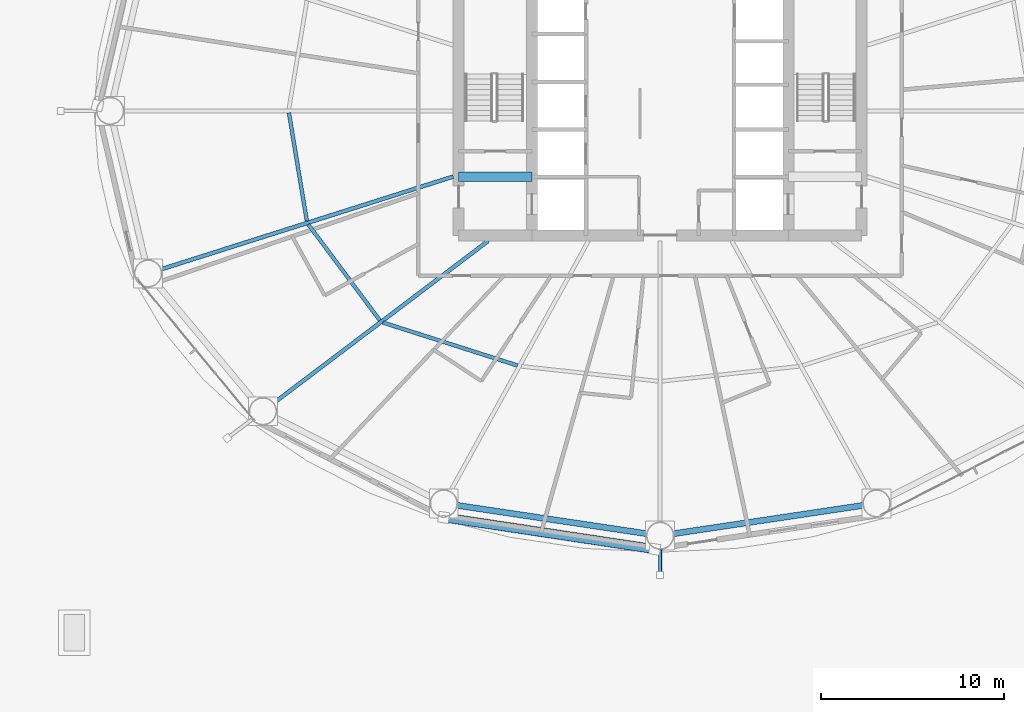
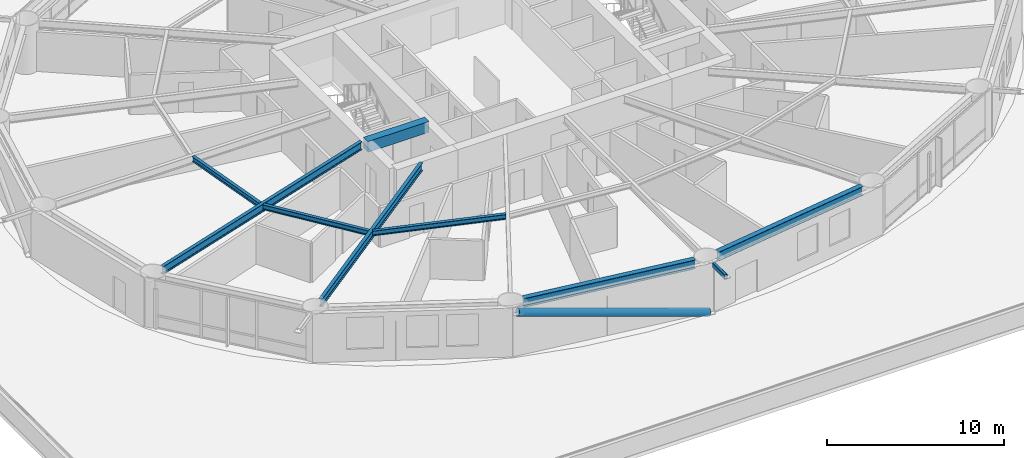
# One storey, part 5 of 30: 8 beams, 2 members.
"""IFC4 building model written with IfcOpenShell, lengths in metres."""

from ifc_helpers import new_model, si_unit, direction, frame, origin, origin_2d, place, context, subcontext, project, spatial, rectangle, hollow_rectangle, hollow_circle, i_section, extrude, material, material_profile, profile_set, type_object, element, save


model = new_model("IFC4")

# Units and contexts
model_context = context("Model", 3, precision=1e-05, world=origin(), true_north=direction((0.0, 1.0)))
body_context = subcontext(model_context, "Body", "Model", "MODEL_VIEW")
ifc_project = project(units=[si_unit("LENGTHUNIT", "METRE"), si_unit("AREAUNIT", "SQUARE_METRE"), si_unit("VOLUMEUNIT", "CUBIC_METRE"), si_unit("PLANEANGLEUNIT", "RADIAN"), si_unit("MASSUNIT", "GRAM", prefix="KILO")], contexts=[model_context])

# Site, building, storey
site_placement = place(None, origin())
site = spatial("IfcSite", under=ifc_project, at=site_placement, CompositionType="ELEMENT")
building_placement = place(site_placement, origin())
building = spatial("IfcBuilding", under=site, at=building_placement, Name="Sarneth Arch Tower", CompositionType="ELEMENT")
storey_placement = place(building_placement, frame((0.0, 0.0, 28.199951171875)))
storey = spatial("IfcBuildingStorey", under=building, at=storey_placement, Name="L05", CompositionType="ELEMENT", Elevation=28.199951171875)

# Beams
ifc_material_1 = material(Name="Steel S355", Category="steel")
ifc_material_profile_1 = material_profile(ifc_material_1, i_section(OverallWidth=0.202880859375, OverallDepth=0.346923828125, WebThickness=0.0078125, FlangeThickness=0.013427734375, FilletRadius=0.014892578125, at=origin_2d()), Name="W360x64")
ifc_profile_set_1 = profile_set([ifc_material_profile_1], Name="Steel S355")
beam_type_1 = type_object("IfcBeamType", Name="BM-JOIST-360C", PredefinedType="JOIST", material=ifc_profile_set_1)
beam_1_placement = place(storey_placement, frame((27.72509765625, 41.89453125, 3.20654296875), z_axis=(0.16394288124, -0.986469833138, 0.0), x_axis=(0.986469833138, 0.16394288124, 0.0)))
element("IfcBeam", 1, at=beam_1_placement, inside=storey, type_object=beam_type_1, Name="L05 Secondary floor joist 09", PredefinedType="JOIST", context=body_context, shape_type="SweptSolid", body=[
    extrude(i_section(OverallWidth=0.202880859375, OverallDepth=0.346923828125, WebThickness=0.0078125, FlangeThickness=0.013427734375, FilletRadius=0.014892578125, at=origin_2d()), origin(), (0.0, 0.0, 1.0), 5.989501953125),
])
beam_2_placement = place(storey_placement, frame((28.78857421875, 35.794921875, 3.20654296875), z_axis=(0.597700490469, -0.801719479428, 0.0), x_axis=(0.801719479428, 0.597700490469, 0.0)))
element("IfcBeam", 2, at=beam_2_placement, inside=storey, type_object=beam_type_1, Name="L05 Secondary floor joist 10", PredefinedType="JOIST", context=body_context, shape_type="SweptSolid", body=[
    extrude(i_section(OverallWidth=0.202880859375, OverallDepth=0.346923828125, WebThickness=0.0078125, FlangeThickness=0.013427734375, FilletRadius=0.014892578125, at=origin_2d()), origin(), (0.0, 0.0, 1.0), 6.5302734375),
])
beam_3_placement = place(storey_placement, frame((32.857666015625, 30.441162109375, 3.20654296875), z_axis=(0.95266836992, -0.304011475036, 0.0), x_axis=(0.304011475036, 0.95266836992, 0.0)))
element("IfcBeam", 3, at=beam_3_placement, inside=storey, type_object=beam_type_1, Name="L05 Secondary floor joist 11", PredefinedType="JOIST", context=body_context, shape_type="SweptSolid", body=[
    extrude(i_section(OverallWidth=0.202880859375, OverallDepth=0.346923828125, WebThickness=0.0078125, FlangeThickness=0.013427734375, FilletRadius=0.014892578125, at=origin_2d()), origin(), (0.0, 0.0, 1.0), 7.720703125),
])
ifc_material_2 = material(Name="Concrete C50/60", Category="concrete")
ifc_material_profile_2 = material_profile(ifc_material_2, rectangle(XDim=0.5, YDim=0.75, at=origin_2d()), Name="RC-500x750")
ifc_profile_set_2 = profile_set([ifc_material_profile_2], Name="Concrete C50/60")
beam_type_2 = type_object("IfcBeamType", Name="BM-LINTEL-RC", PredefinedType="LINTEL", material=ifc_profile_set_2)
beam_4_placement = place(storey_placement, frame((37.0, 38.39990234375, 3.005126953125), z_axis=(1.0, 0.0, 0.0), x_axis=(0.0, 1.0, 0.0)))
element("IfcBeam", 4, at=beam_4_placement, inside=storey, type_object=beam_type_2, Name="L05 Core coupling lintel W", PredefinedType="LINTEL", context=body_context, shape_type="SweptSolid", body=[
    extrude(rectangle(XDim=0.5, YDim=0.75, at=origin_2d()), origin(), (0.0, 0.0, 1.0), 4.0),
])
ifc_material_3 = material(Name="Steel S355", Category="steel")
ifc_material_profile_3 = material_profile(ifc_material_3, i_section(OverallWidth=0.214111328125, OverallDepth=0.549072265625, WebThickness=0.0146484375, FlangeThickness=0.023681640625, FilletRadius=0.01806640625, at=origin_2d()), Name="W530x138")
ifc_profile_set_3 = profile_set([ifc_material_profile_3], Name="Steel S355")
beam_type_3 = type_object("IfcBeamType", Name="BM-RAD-530A", PredefinedType="BEAM", material=ifc_profile_set_3)
beam_5_placement = place(storey_placement, frame((36.699951171875, 38.41259765625, 3.10546875), z_axis=(-0.953119859464, -0.30259301627, 0.0), x_axis=(0.30259301627, -0.953119859464, 0.0)))
element("IfcBeam", 5, at=beam_5_placement, inside=storey, type_object=beam_type_3, Name="L05 Radial floor girder 10", PredefinedType="BEAM", context=body_context, shape_type="SweptSolid", body=[
    extrude(i_section(OverallWidth=0.214111328125, OverallDepth=0.549072265625, WebThickness=0.0146484375, FlangeThickness=0.023681640625, FilletRadius=0.01806640625, at=origin_2d()), origin(), (0.0, 0.0, 1.0), 16.7353515625),
])
beam_6_placement = place(storey_placement, frame((38.609619140625, 34.89990234375, 3.10546875), z_axis=(-0.79765464731, -0.603114469753, 0.0), x_axis=(0.603114469753, -0.79765464731, 0.0)))
element("IfcBeam", 6, at=beam_6_placement, inside=storey, type_object=beam_type_3, Name="L05 Radial floor girder 11", PredefinedType="BEAM", context=body_context, shape_type="SweptSolid", body=[
    extrude(i_section(OverallWidth=0.214111328125, OverallDepth=0.549072265625, WebThickness=0.0146484375, FlangeThickness=0.023681640625, FilletRadius=0.01806640625, at=origin_2d()), origin(), (0.0, 0.0, 1.0), 14.677978515625),
])
ifc_material_4 = material(Name="Steel S355", Category="steel")
ifc_material_profile_4 = material_profile(ifc_material_4, i_section(OverallWidth=0.326904296875, OverallDepth=0.6220703125, WebThickness=0.015380859375, FlangeThickness=0.0244140625, FilletRadius=0.01904296875, at=origin_2d()), Name="W610x195")
ifc_profile_set_4 = profile_set([ifc_material_profile_4], Name="Steel S355")
beam_type_4 = type_object("IfcBeamType", Name="BM-SPAN-610A", PredefinedType="SPANDREL", material=ifc_profile_set_4)
for number, where, z_axis, x_axis, name in (
    (7, (36.923828125, 20.455078125, 3.069091796875), (0.989020169581, -0.147780594675, 0.0), (0.147780594675, 0.989020169581, 0.0), "L05 Perimeter spandrel beam 12"),
    (8, (48.74169921875, 18.910888671875, 3.069091796875), (0.989020169581, 0.147780594675, 0.0), (-0.147780594675, 0.989020169581, 0.0), "L05 Perimeter spandrel beam 13"),
):
    element("IfcBeam", number, at=place(storey_placement, frame(where, z_axis=z_axis, x_axis=x_axis)), inside=storey, type_object=beam_type_4, Name=name, PredefinedType="SPANDREL", context=body_context, shape_type="SweptSolid", body=[
        extrude(i_section(OverallWidth=0.326904296875, OverallDepth=0.6220703125, WebThickness=0.015380859375, FlangeThickness=0.0244140625, FilletRadius=0.01904296875, at=origin_2d()), origin(), (0.0, 0.0, 1.0), 10.44921875),
    ])

# Members
ifc_material_5 = material(Name="Steel S355", Category="steel")
ifc_material_profile_5 = material_profile(ifc_material_5, hollow_rectangle(XDim=0.199951171875, YDim=0.300048828125, WallThickness=0.012451171875, InnerFilletRadius=0.018798828125, OuterFilletRadius=0.03125, at=origin_2d()), Name="RHS300x200x12.5")
ifc_profile_set_5 = profile_set([ifc_material_profile_5], Name="Steel S355")
member_type_1 = type_object("IfcMemberType", Name="MEM-CANT-STRUT", PredefinedType="STRUT", material=ifc_profile_set_5)
member_1_placement = place(storey_placement, frame((48.0, 18.050048828125, 3.219970703125), z_axis=(0.0, -1.0, 0.0), x_axis=(1.0, 0.0, 0.0)))
element("IfcMember", 9, at=member_1_placement, inside=storey, type_object=member_type_1, Name="L05 Balcony cantilever bracket 13", PredefinedType="STRUT", context=body_context, shape_type="SweptSolid", body=[
    extrude(hollow_rectangle(XDim=0.199951171875, YDim=0.300048828125, WallThickness=0.012451171875, InnerFilletRadius=0.018798828125, OuterFilletRadius=0.03125, at=origin_2d()), origin(), (0.0, 0.0, 1.0), 1.400146484375),
])
ifc_material_6 = material(Name="Steel S355", Category="steel")
ifc_material_profile_6 = material_profile(ifc_material_6, hollow_circle(Radius=0.25390625, WallThickness=0.01611328125, at=origin_2d()), Name="CHS508x16")
ifc_profile_set_6 = profile_set([ifc_material_profile_6], Name="Steel S355")
member_type_2 = type_object("IfcMemberType", Name="MEM-DIAG-BR1", PredefinedType="BRACE", material=ifc_profile_set_6)
member_2_placement = place(storey_placement, frame((47.703369140625, 18.064697265625, 0.02001953125), z_axis=(-0.957875899759, 0.144316613483, 0.248287083301), x_axis=(-0.1489817545, -0.988839944999, 0.0)))
element("IfcMember", 10, at=member_2_placement, inside=storey, type_object=member_type_2, Name="L05 Perimeter frame diagonal 12", PredefinedType="BRACE", context=body_context, shape_type="SweptSolid", body=[
    extrude(hollow_circle(Radius=0.25390625, WallThickness=0.01611328125, at=origin_2d()), origin(), (0.0, 0.0, 1.0), 12.02978515625),
])

save(model, "model.ifc")
